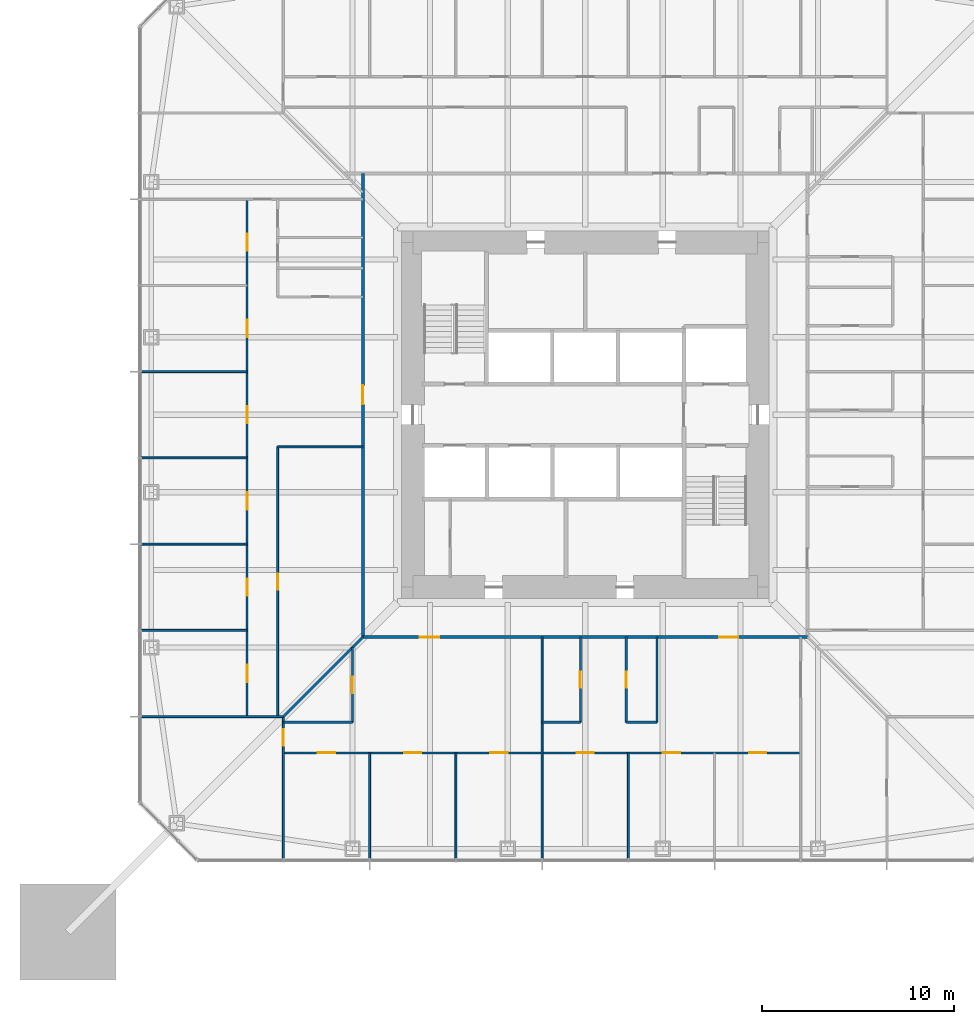
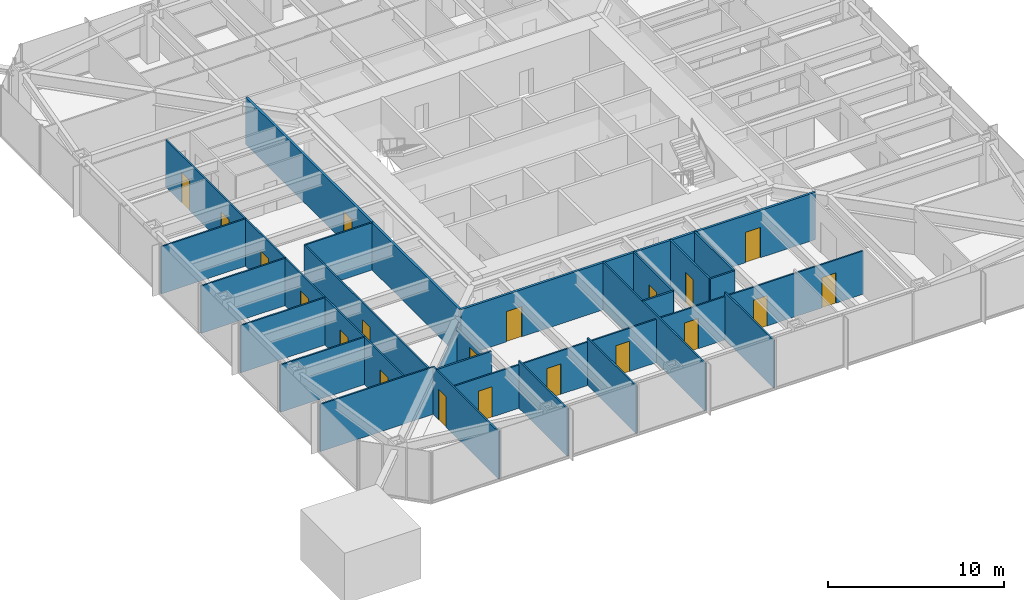
# One storey, part 14 of 26: 24 walls, 20 doors, 20 openings.
"""IFC4 building model written with IfcOpenShell, lengths in metres."""

from ifc_helpers import new_model, si_unit, direction, frame, frame_2d, origin, place, context, subcontext, project, spatial, rectangle, extrude, material, layer, layer_set, type_object, element, fill, save


model = new_model("IFC4")

# Units and contexts
model_context = context("Model", 3, precision=1e-05, world=origin(), true_north=direction((0.0, 1.0)))
body_context = subcontext(model_context, "Body", "Model", "MODEL_VIEW")
ifc_project = project(units=[si_unit("LENGTHUNIT", "METRE"), si_unit("AREAUNIT", "SQUARE_METRE"), si_unit("VOLUMEUNIT", "CUBIC_METRE"), si_unit("PLANEANGLEUNIT", "RADIAN"), si_unit("MASSUNIT", "GRAM", prefix="KILO")], contexts=[model_context])

# Site, building, storey
site_placement = place(None, origin())
site = spatial("IfcSite", under=ifc_project, at=site_placement, CompositionType="ELEMENT")
building_placement = place(site_placement, origin())
building = spatial("IfcBuilding", under=site, at=building_placement, Name="Iwan Alto Co-Living Towers", CompositionType="ELEMENT")
storey_placement = place(building_placement, frame((0.0, 0.0, 39.5)))
storey = spatial("IfcBuildingStorey", under=building, at=storey_placement, Name="L10", CompositionType="ELEMENT", Elevation=39.5)

# Wall, openings, doors
ifc_material_1 = material(Name="Gypsum board")
ifc_layer_1 = layer(ifc_material_1, 0.02490234375, Name="Board", Category="Finish")
ifc_material_2 = material(Name="Steel ASTM A1003 ST33H cold-formed studs", Category="steel")
ifc_layer_2 = layer(ifc_material_2, 0.10009765625, Name="Studs", Category="Framing")
ifc_layer_3 = layer(ifc_material_1, 0.02490234375, Name="Board", Category="Finish")
ifc_layer_set_1 = layer_set([ifc_layer_1, ifc_layer_2, ifc_layer_3], Name="CORRIDOR WALL 150")
wall_type_1 = type_object("IfcWallType", Name="CORRIDOR WALL 150", PredefinedType="PARTITIONING", material=ifc_layer_set_1)
wall_1_placement = place(storey_placement, frame((-11.60009765625, -11.60009765625, 0.0), z_axis=(0.0, 0.0, 1.0), x_axis=(1.0, 0.0, 0.0)))
wall_1 = element("IfcWall", 1, at=wall_1_placement, inside=storey, type_object=wall_type_1, Name="Partition L10", PredefinedType="PARTITIONING", context=body_context, shape_type="SweptSolid", body=[
    extrude(rectangle(XDim=23.2001953125, YDim=0.14990234375, at=frame_2d((11.60009765625, 0.0))), origin(), (0.0, 0.0, 1.0), 3.27001953125),
])
opening_1_placement = place(wall_1_placement, frame((2.97509765625, 0.0, 0.0)))
opening_1 = element("IfcOpeningElement", 2, at=opening_1_placement, cuts=wall_1, Name="Opening D3", PredefinedType="OPENING", context=body_context, shape_type="SweptSolid", body=[
    extrude(rectangle(XDim=1.0, YDim=2.10009765625, at=frame_2d((0.5, 1.050048828125))), frame((0.0, 0.0849609375, 0.0), z_axis=(0.0, -1.0, 0.0), x_axis=(1.0, 0.0, 0.0)), (0.0, 0.0, 1.0), 0.169921875),
])
opening_2_placement = place(wall_1_placement, frame((18.60009765625, 0.0, 0.0)))
opening_2 = element("IfcOpeningElement", 3, at=opening_2_placement, cuts=wall_1, Name="Opening D3", PredefinedType="OPENING", context=body_context, shape_type="SweptSolid", body=[
    extrude(rectangle(XDim=1.0, YDim=2.10009765625, at=frame_2d((0.5, 1.050048828125))), frame((0.0, 0.0849609375, 0.0), z_axis=(0.0, -1.0, 0.0), x_axis=(1.0, 0.0, 0.0)), (0.0, 0.0, 1.0), 0.169921875),
])
ifc_material_3 = material(Name="Steel frame with timber leaf", Category="steel")
door_type_1 = type_object("IfcDoorType", Name="FLAT ENTRANCE DOOR FD30S 1000X2100", OperationType="SINGLE_SWING_LEFT", PredefinedType="DOOR", material=ifc_material_3)
door_1_placement = place(opening_1_placement, frame((1.0, 0.0, 0.0), z_axis=(0.0, 0.0, 1.0), x_axis=(-1.0, 0.0, 0.0)))
door_1 = element("IfcDoor", 4, at=door_1_placement, inside=storey, type_object=door_type_1, Name="Cluster lounge door L10", OperationType="SINGLE_SWING_RIGHT", OverallHeight=2.10009765625, OverallWidth=1.0, PredefinedType="DOOR", context=body_context, shape_type="SweptSolid", body=[
    extrude(rectangle(XDim=1.0, YDim=2.10009765625, at=frame_2d((0.5, 1.050048828125))), frame((0.0, 0.02490234375, 0.0), z_axis=(0.0, -1.0, 0.0), x_axis=(1.0, 0.0, 0.0)), (0.0, 0.0, 1.0), 0.050048828125),
])
fill(opening_1, door_1)
door_2_placement = place(opening_2_placement, frame((1.0, 0.0, 0.0), z_axis=(0.0, 0.0, 1.0), x_axis=(-1.0, 0.0, 0.0)))
door_2 = element("IfcDoor", 5, at=door_2_placement, inside=storey, type_object=door_type_1, Name="Cluster lounge and shared kitchen door L10", OperationType="SINGLE_SWING_RIGHT", OverallHeight=2.10009765625, OverallWidth=1.0, PredefinedType="DOOR", context=body_context, shape_type="SweptSolid", body=[
    extrude(rectangle(XDim=1.0, YDim=2.10009765625, at=frame_2d((0.5, 1.050048828125))), frame((0.0, 0.02490234375, 0.0), z_axis=(0.0, -1.0, 0.0), x_axis=(1.0, 0.0, 0.0)), (0.0, 0.0, 1.0), 0.050048828125),
])
fill(opening_2, door_2)

# Wall, opening, door
wall_2_placement = place(storey_placement, frame((-11.60009765625, -11.60009765625, 0.0), z_axis=(0.0, 0.0, 1.0), x_axis=(0.0, 1.0, 0.0)))
wall_2 = element("IfcWall", 6, at=wall_2_placement, inside=storey, type_object=wall_type_1, Name="Partition L10", PredefinedType="PARTITIONING", context=body_context, shape_type="SweptSolid", body=[
    extrude(rectangle(XDim=24.2001953125, YDim=0.14990234375, at=frame_2d((12.10009765625, 0.0))), origin(), (0.0, 0.0, 1.0), 3.27001953125),
])
opening_3_placement = place(wall_2_placement, frame((12.139892578125, 0.0, 0.0)))
opening_3 = element("IfcOpeningElement", 7, at=opening_3_placement, cuts=wall_2, Name="Opening D3", PredefinedType="OPENING", context=body_context, shape_type="SweptSolid", body=[
    extrude(rectangle(XDim=1.0, YDim=2.10009765625, at=frame_2d((0.5, 1.050048828125))), frame((0.0, 0.0849609375, 0.0), z_axis=(0.0, -1.0, 0.0), x_axis=(1.0, 0.0, 0.0)), (0.0, 0.0, 1.0), 0.169921875),
])
door_3_placement = place(opening_3_placement, origin())
door_3 = element("IfcDoor", 8, at=door_3_placement, inside=storey, type_object=door_type_1, Name="Cluster lounge and shared kitchen door L10", OperationType="SINGLE_SWING_LEFT", OverallHeight=2.10009765625, OverallWidth=1.0, PredefinedType="DOOR", context=body_context, shape_type="SweptSolid", body=[
    extrude(rectangle(XDim=1.0, YDim=2.10009765625, at=frame_2d((0.5, 1.050048828125))), frame((0.0, 0.02490234375, 0.0), z_axis=(0.0, -1.0, 0.0), x_axis=(1.0, 0.0, 0.0)), (0.0, 0.0, 1.0), 0.050048828125),
])
fill(opening_3, door_3)

# Wall, openings, doors
ifc_layer_4 = layer(ifc_material_1, 0.012451171875, Name="Board", Category="Finish")
ifc_layer_5 = layer(ifc_material_2, 0.074951171875, Name="Studs", Category="Framing")
ifc_layer_6 = layer(ifc_material_1, 0.012451171875, Name="Board", Category="Finish")
ifc_layer_set_2 = layer_set([ifc_layer_4, ifc_layer_5, ifc_layer_6], Name="PARTITION 100")
wall_type_2 = type_object("IfcWallType", Name="PARTITION 100", PredefinedType="PARTITIONING", material=ifc_layer_set_2)
wall_3_placement = place(storey_placement, frame((-15.75, -17.64990234375, 0.0), z_axis=(0.0, 0.0, 1.0), x_axis=(1.0, 0.0, 0.0)))
wall_3 = element("IfcWall", 9, at=wall_3_placement, inside=storey, type_object=wall_type_2, Name="Partition L10", PredefinedType="PARTITIONING", context=body_context, shape_type="SweptSolid", body=[
    extrude(rectangle(XDim=27.0, YDim=0.10009765625, at=frame_2d((13.5, 0.0))), origin(), (0.0, 0.0, 1.0), 3.0),
])
opening_4_placement = place(wall_3_placement, frame((1.800048828125, 0.0, 0.0)))
opening_4 = element("IfcOpeningElement", 10, at=opening_4_placement, cuts=wall_3, Name="Opening D1", PredefinedType="OPENING", context=body_context, shape_type="SweptSolid", body=[
    extrude(rectangle(XDim=0.89990234375, YDim=2.10009765625, at=frame_2d((0.449951171875, 1.050048828125))), frame((0.0, 0.06005859375, 0.0), z_axis=(0.0, -1.0, 0.0), x_axis=(1.0, 0.0, 0.0)), (0.0, 0.0, 1.0), 0.1201171875),
])
opening_5_placement = place(wall_3_placement, frame((6.300048828125, 0.0, 0.0)))
opening_5 = element("IfcOpeningElement", 11, at=opening_5_placement, cuts=wall_3, Name="Opening D1", PredefinedType="OPENING", context=body_context, shape_type="SweptSolid", body=[
    extrude(rectangle(XDim=0.89990234375, YDim=2.10009765625, at=frame_2d((0.449951171875, 1.050048828125))), frame((0.0, 0.06005859375, 0.0), z_axis=(0.0, -1.0, 0.0), x_axis=(1.0, 0.0, 0.0)), (0.0, 0.0, 1.0), 0.1201171875),
])
opening_6_placement = place(wall_3_placement, frame((10.800048828125, 0.0, 0.0)))
opening_6 = element("IfcOpeningElement", 12, at=opening_6_placement, cuts=wall_3, Name="Opening D1", PredefinedType="OPENING", context=body_context, shape_type="SweptSolid", body=[
    extrude(rectangle(XDim=0.89990234375, YDim=2.10009765625, at=frame_2d((0.449951171875, 1.050048828125))), frame((0.0, 0.06005859375, 0.0), z_axis=(0.0, -1.0, 0.0), x_axis=(1.0, 0.0, 0.0)), (0.0, 0.0, 1.0), 0.1201171875),
])
opening_7_placement = place(wall_3_placement, frame((15.300048828125, 0.0, 0.0)))
opening_7 = element("IfcOpeningElement", 13, at=opening_7_placement, cuts=wall_3, Name="Opening D1", PredefinedType="OPENING", context=body_context, shape_type="SweptSolid", body=[
    extrude(rectangle(XDim=0.89990234375, YDim=2.10009765625, at=frame_2d((0.449951171875, 1.050048828125))), frame((0.0, 0.06005859375, 0.0), z_axis=(0.0, -1.0, 0.0), x_axis=(1.0, 0.0, 0.0)), (0.0, 0.0, 1.0), 0.1201171875),
])
opening_8_placement = place(wall_3_placement, frame((19.800048828125, 0.0, 0.0)))
opening_8 = element("IfcOpeningElement", 14, at=opening_8_placement, cuts=wall_3, Name="Opening D1", PredefinedType="OPENING", context=body_context, shape_type="SweptSolid", body=[
    extrude(rectangle(XDim=0.89990234375, YDim=2.10009765625, at=frame_2d((0.449951171875, 1.050048828125))), frame((0.0, 0.06005859375, 0.0), z_axis=(0.0, -1.0, 0.0), x_axis=(1.0, 0.0, 0.0)), (0.0, 0.0, 1.0), 0.1201171875),
])
opening_9_placement = place(wall_3_placement, frame((24.300048828125, 0.0, 0.0)))
opening_9 = element("IfcOpeningElement", 15, at=opening_9_placement, cuts=wall_3, Name="Opening D1", PredefinedType="OPENING", context=body_context, shape_type="SweptSolid", body=[
    extrude(rectangle(XDim=0.89990234375, YDim=2.10009765625, at=frame_2d((0.449951171875, 1.050048828125))), frame((0.0, 0.06005859375, 0.0), z_axis=(0.0, -1.0, 0.0), x_axis=(1.0, 0.0, 0.0)), (0.0, 0.0, 1.0), 0.1201171875),
])
ifc_material_4 = material(Name="Timber leaf in steel frame", Category="steel")
door_type_2 = type_object("IfcDoorType", Name="BEDROOM DOOR 900X2100", OperationType="SINGLE_SWING_LEFT", PredefinedType="DOOR", material=ifc_material_4)
door_4_placement = place(opening_4_placement, origin())
door_4 = element("IfcDoor", 16, at=door_4_placement, inside=storey, type_object=door_type_2, Name="Study bedroom door L10", OperationType="SINGLE_SWING_LEFT", OverallHeight=2.10009765625, OverallWidth=0.89990234375, PredefinedType="DOOR", context=body_context, shape_type="SweptSolid", body=[
    extrude(rectangle(XDim=0.89990234375, YDim=2.10009765625, at=frame_2d((0.449951171875, 1.050048828125))), frame((0.0, 0.02490234375, 0.0), z_axis=(0.0, -1.0, 0.0), x_axis=(1.0, 0.0, 0.0)), (0.0, 0.0, 1.0), 0.050048828125),
])
fill(opening_4, door_4)
door_5_placement = place(opening_5_placement, origin())
door_5 = element("IfcDoor", 17, at=door_5_placement, inside=storey, type_object=door_type_2, Name="Study bedroom door L10", OperationType="SINGLE_SWING_LEFT", OverallHeight=2.10009765625, OverallWidth=0.89990234375, PredefinedType="DOOR", context=body_context, shape_type="SweptSolid", body=[
    extrude(rectangle(XDim=0.89990234375, YDim=2.10009765625, at=frame_2d((0.449951171875, 1.050048828125))), frame((0.0, 0.02490234375, 0.0), z_axis=(0.0, -1.0, 0.0), x_axis=(1.0, 0.0, 0.0)), (0.0, 0.0, 1.0), 0.050048828125),
])
fill(opening_5, door_5)
door_6_placement = place(opening_6_placement, origin())
door_6 = element("IfcDoor", 18, at=door_6_placement, inside=storey, type_object=door_type_2, Name="Study bedroom door L10", OperationType="SINGLE_SWING_RIGHT", OverallHeight=2.10009765625, OverallWidth=0.89990234375, PredefinedType="DOOR", context=body_context, shape_type="SweptSolid", body=[
    extrude(rectangle(XDim=0.89990234375, YDim=2.10009765625, at=frame_2d((0.449951171875, 1.050048828125))), frame((0.0, 0.02490234375, 0.0), z_axis=(0.0, -1.0, 0.0), x_axis=(1.0, 0.0, 0.0)), (0.0, 0.0, 1.0), 0.050048828125),
])
fill(opening_6, door_6)
door_7_placement = place(opening_7_placement, origin())
door_7 = element("IfcDoor", 19, at=door_7_placement, inside=storey, type_object=door_type_2, Name="Study bedroom door L10", OperationType="SINGLE_SWING_LEFT", OverallHeight=2.10009765625, OverallWidth=0.89990234375, PredefinedType="DOOR", context=body_context, shape_type="SweptSolid", body=[
    extrude(rectangle(XDim=0.89990234375, YDim=2.10009765625, at=frame_2d((0.449951171875, 1.050048828125))), frame((0.0, 0.02490234375, 0.0), z_axis=(0.0, -1.0, 0.0), x_axis=(1.0, 0.0, 0.0)), (0.0, 0.0, 1.0), 0.050048828125),
])
fill(opening_7, door_7)
door_8_placement = place(opening_8_placement, origin())
door_8 = element("IfcDoor", 20, at=door_8_placement, inside=storey, type_object=door_type_2, Name="Study bedroom door L10", OperationType="SINGLE_SWING_LEFT", OverallHeight=2.10009765625, OverallWidth=0.89990234375, PredefinedType="DOOR", context=body_context, shape_type="SweptSolid", body=[
    extrude(rectangle(XDim=0.89990234375, YDim=2.10009765625, at=frame_2d((0.449951171875, 1.050048828125))), frame((0.0, 0.02490234375, 0.0), z_axis=(0.0, -1.0, 0.0), x_axis=(1.0, 0.0, 0.0)), (0.0, 0.0, 1.0), 0.050048828125),
])
fill(opening_8, door_8)
door_9_placement = place(opening_9_placement, origin())
door_9 = element("IfcDoor", 21, at=door_9_placement, inside=storey, type_object=door_type_2, Name="Study bedroom door L10", OperationType="SINGLE_SWING_RIGHT", OverallHeight=2.10009765625, OverallWidth=0.89990234375, PredefinedType="DOOR", context=body_context, shape_type="SweptSolid", body=[
    extrude(rectangle(XDim=0.89990234375, YDim=2.10009765625, at=frame_2d((0.449951171875, 1.050048828125))), frame((0.0, 0.02490234375, 0.0), z_axis=(0.0, -1.0, 0.0), x_axis=(1.0, 0.0, 0.0)), (0.0, 0.0, 1.0), 0.050048828125),
])
fill(opening_9, door_9)

# Walls
wall_4_placement = place(storey_placement, frame((-23.18994140625, -15.75, 0.0), z_axis=(0.0, 0.0, 1.0), x_axis=(1.0, 0.0, 0.0)))
element("IfcWall", 22, at=wall_4_placement, inside=storey, type_object=wall_type_2, Name="Partition L10", PredefinedType="PARTITIONING", context=body_context, shape_type="SweptSolid", body=[
    extrude(rectangle(XDim=7.43994140625, YDim=0.10009765625, at=frame_2d((3.719970703125, 0.0))), origin(), (0.0, 0.0, 1.0), 3.27001953125),
])
for number, where, z_axis, x_axis, name in (
    (23, (-23.18994140625, -11.25, 0.0), (0.0, 0.0, 1.0), (1.0, 0.0, 0.0), "Partition L10"),
    (24, (-23.18994140625, -6.75, 0.0), (0.0, 0.0, 1.0), (1.0, 0.0, 0.0), "Partition L10"),
    (25, (-23.18994140625, -2.25, 0.0), (0.0, 0.0, 1.0), (1.0, 0.0, 0.0), "Partition L10"),
):
    element("IfcWall", number, at=place(storey_placement, frame(where, z_axis=z_axis, x_axis=x_axis)), inside=storey, type_object=wall_type_2, Name=name, PredefinedType="PARTITIONING", context=body_context, shape_type="SweptSolid", body=[
        extrude(rectangle(XDim=5.5400390625, YDim=0.10009765625, at=frame_2d((2.77001953125, 0.0))), origin(), (0.0, 0.0, 1.0), 3.27001953125),
    ])
wall_5_placement = place(storey_placement, frame((-16.050048828125, -1.669921875, 0.0), z_axis=(0.0, 0.0, 1.0), x_axis=(1.0, 0.0, 0.0)))
element("IfcWall", 26, at=wall_5_placement, inside=storey, type_object=wall_type_2, Name="Partition L10", PredefinedType="PARTITIONING", context=body_context, shape_type="SweptSolid", body=[
    extrude(rectangle(XDim=4.449951171875, YDim=0.10009765625, at=frame_2d((2.22509765625, 0.0))), origin(), (0.0, 0.0, 1.0), 3.27001953125),
])
for number, where, z_axis, x_axis, name in (
    (27, (-23.18994140625, 2.25, 0.0), (0.0, 0.0, 1.0), (1.0, 0.0, 0.0), "Partition L10"),
    (28, (2.25, -23.18994140625, 0.0), (0.0, 0.0, 1.0), (0.0, 1.0, 0.0), "Partition L10"),
):
    element("IfcWall", number, at=place(storey_placement, frame(where, z_axis=z_axis, x_axis=x_axis)), inside=storey, type_object=wall_type_2, Name=name, PredefinedType="PARTITIONING", context=body_context, shape_type="SweptSolid", body=[
        extrude(rectangle(XDim=5.5400390625, YDim=0.10009765625, at=frame_2d((2.77001953125, 0.0))), origin(), (0.0, 0.0, 1.0), 3.27001953125),
    ])
wall_6_placement = place(storey_placement, frame((-2.25, -23.18994140625, 0.0), z_axis=(0.0, 0.0, 1.0), x_axis=(0.0, 1.0, 0.0)))
element("IfcWall", 29, at=wall_6_placement, inside=storey, type_object=wall_type_2, Name="Partition L10", PredefinedType="PARTITIONING", context=body_context, shape_type="SweptSolid", body=[
    extrude(rectangle(XDim=11.58984375, YDim=0.10009765625, at=frame_2d((5.794921875, 0.0))), origin(), (0.0, 0.0, 1.0), 3.27001953125),
])
for number, where, z_axis, x_axis, name in (
    (30, (-6.75, -23.18994140625, 0.0), (0.0, 0.0, 1.0), (0.0, 1.0, 0.0), "Partition L10"),
    (31, (-11.25, -23.18994140625, 0.0), (0.0, 0.0, 1.0), (0.0, 1.0, 0.0), "Partition L10"),
):
    element("IfcWall", number, at=place(storey_placement, frame(where, z_axis=z_axis, x_axis=x_axis)), inside=storey, type_object=wall_type_2, Name=name, PredefinedType="PARTITIONING", context=body_context, shape_type="SweptSolid", body=[
        extrude(rectangle(XDim=5.5400390625, YDim=0.10009765625, at=frame_2d((2.77001953125, 0.0))), origin(), (0.0, 0.0, 1.0), 3.27001953125),
    ])

# Wall, opening, door
wall_7_placement = place(storey_placement, frame((-15.75, -23.18994140625, 0.0), z_axis=(0.0, 0.0, 1.0), x_axis=(0.0, 1.0, 0.0)))
wall_7 = element("IfcWall", 32, at=wall_7_placement, inside=storey, type_object=wall_type_2, Name="Partition L10", PredefinedType="PARTITIONING", context=body_context, shape_type="SweptSolid", body=[
    extrude(rectangle(XDim=7.43994140625, YDim=0.10009765625, at=frame_2d((3.719970703125, 0.0))), origin(), (0.0, 0.0, 1.0), 3.27001953125),
])
opening_10_placement = place(wall_7_placement, frame((5.9150390625, 0.0, 0.0)))
opening_10 = element("IfcOpeningElement", 33, at=opening_10_placement, cuts=wall_7, Name="Opening D2", PredefinedType="OPENING", context=body_context, shape_type="SweptSolid", body=[
    extrude(rectangle(XDim=0.85009765625, YDim=2.10009765625, at=frame_2d((0.425048828125, 1.050048828125))), frame((0.0, 0.06005859375, 0.0), z_axis=(0.0, -1.0, 0.0), x_axis=(1.0, 0.0, 0.0)), (0.0, 0.0, 1.0), 0.1201171875),
])
ifc_material_5 = material(Name="Timber leaf in steel frame", Category="steel")
door_type_3 = type_object("IfcDoorType", Name="ROOM DOOR 850X2100", OperationType="SINGLE_SWING_LEFT", PredefinedType="DOOR", material=ifc_material_5)
door_10_placement = place(opening_10_placement, frame((0.85009765625, 0.0, 0.0), z_axis=(0.0, 0.0, 1.0), x_axis=(-1.0, 0.0, 0.0)))
door_10 = element("IfcDoor", 34, at=door_10_placement, inside=storey, type_object=door_type_3, Name="Shared kitchen and dining room door L10", OperationType="SINGLE_SWING_RIGHT", OverallHeight=2.10009765625, OverallWidth=0.85009765625, PredefinedType="DOOR", context=body_context, shape_type="SweptSolid", body=[
    extrude(rectangle(XDim=0.85009765625, YDim=2.10009765625, at=frame_2d((0.425048828125, 1.050048828125))), frame((0.0, 0.02490234375, 0.0), z_axis=(0.0, -1.0, 0.0), x_axis=(1.0, 0.0, 0.0)), (0.0, 0.0, 1.0), 0.050048828125),
])
fill(opening_10, door_10)

wall_8_placement = place(storey_placement, frame((-16.050048828125, -15.75, 0.0), z_axis=(0.0, 0.0, 1.0), x_axis=(0.0, 1.0, 0.0)))
wall_8 = element("IfcWall", 35, at=wall_8_placement, inside=storey, type_object=wall_type_2, Name="Partition L10", PredefinedType="PARTITIONING", context=body_context, shape_type="SweptSolid", body=[
    extrude(rectangle(XDim=14.080078125, YDim=0.10009765625, at=frame_2d((7.0400390625, 0.0))), origin(), (0.0, 0.0, 1.0), 3.27001953125),
])
opening_11_placement = place(wall_8_placement, frame((6.614990234375, 0.0, 0.0)))
opening_11 = element("IfcOpeningElement", 36, at=opening_11_placement, cuts=wall_8, Name="Opening D2", PredefinedType="OPENING", context=body_context, shape_type="SweptSolid", body=[
    extrude(rectangle(XDim=0.85009765625, YDim=2.10009765625, at=frame_2d((0.425048828125, 1.050048828125))), frame((0.0, 0.06005859375, 0.0), z_axis=(0.0, -1.0, 0.0), x_axis=(1.0, 0.0, 0.0)), (0.0, 0.0, 1.0), 0.1201171875),
])
door_11_placement = place(opening_11_placement, origin())
door_11 = element("IfcDoor", 37, at=door_11_placement, inside=storey, type_object=door_type_3, Name="Study lounge door L10", OperationType="SINGLE_SWING_LEFT", OverallHeight=2.10009765625, OverallWidth=0.85009765625, PredefinedType="DOOR", context=body_context, shape_type="SweptSolid", body=[
    extrude(rectangle(XDim=0.85009765625, YDim=2.10009765625, at=frame_2d((0.425048828125, 1.050048828125))), frame((0.0, 0.02490234375, 0.0), z_axis=(0.0, -1.0, 0.0), x_axis=(1.0, 0.0, 0.0)), (0.0, 0.0, 1.0), 0.050048828125),
])
fill(opening_11, door_11)

# Wall, openings, doors
wall_9_placement = place(storey_placement, frame((-17.64990234375, -15.75, 0.0), z_axis=(0.0, 0.0, 1.0), x_axis=(0.0, 1.0, 0.0)))
wall_9 = element("IfcWall", 38, at=wall_9_placement, inside=storey, type_object=wall_type_2, Name="Partition L10", PredefinedType="PARTITIONING", context=body_context, shape_type="SweptSolid", body=[
    extrude(rectangle(XDim=27.0, YDim=0.10009765625, at=frame_2d((13.5, 0.0))), origin(), (0.0, 0.0, 1.0), 3.27001953125),
])
opening_12_placement = place(wall_9_placement, frame((24.300048828125, 0.0, 0.0)))
opening_12 = element("IfcOpeningElement", 39, at=opening_12_placement, cuts=wall_9, Name="Opening D1", PredefinedType="OPENING", context=body_context, shape_type="SweptSolid", body=[
    extrude(rectangle(XDim=0.89990234375, YDim=2.10009765625, at=frame_2d((0.449951171875, 1.050048828125))), frame((0.0, 0.06005859375, 0.0), z_axis=(0.0, -1.0, 0.0), x_axis=(1.0, 0.0, 0.0)), (0.0, 0.0, 1.0), 0.1201171875),
])
opening_13_placement = place(wall_9_placement, frame((19.800048828125, 0.0, 0.0)))
opening_13 = element("IfcOpeningElement", 40, at=opening_13_placement, cuts=wall_9, Name="Opening D1", PredefinedType="OPENING", context=body_context, shape_type="SweptSolid", body=[
    extrude(rectangle(XDim=0.89990234375, YDim=2.10009765625, at=frame_2d((0.449951171875, 1.050048828125))), frame((0.0, 0.06005859375, 0.0), z_axis=(0.0, -1.0, 0.0), x_axis=(1.0, 0.0, 0.0)), (0.0, 0.0, 1.0), 0.1201171875),
])
opening_14_placement = place(wall_9_placement, frame((15.300048828125, 0.0, 0.0)))
opening_14 = element("IfcOpeningElement", 41, at=opening_14_placement, cuts=wall_9, Name="Opening D1", PredefinedType="OPENING", context=body_context, shape_type="SweptSolid", body=[
    extrude(rectangle(XDim=0.89990234375, YDim=2.10009765625, at=frame_2d((0.449951171875, 1.050048828125))), frame((0.0, 0.06005859375, 0.0), z_axis=(0.0, -1.0, 0.0), x_axis=(1.0, 0.0, 0.0)), (0.0, 0.0, 1.0), 0.1201171875),
])
opening_15_placement = place(wall_9_placement, frame((10.800048828125, 0.0, 0.0)))
opening_15 = element("IfcOpeningElement", 42, at=opening_15_placement, cuts=wall_9, Name="Opening D1", PredefinedType="OPENING", context=body_context, shape_type="SweptSolid", body=[
    extrude(rectangle(XDim=0.89990234375, YDim=2.10009765625, at=frame_2d((0.449951171875, 1.050048828125))), frame((0.0, 0.06005859375, 0.0), z_axis=(0.0, -1.0, 0.0), x_axis=(1.0, 0.0, 0.0)), (0.0, 0.0, 1.0), 0.1201171875),
])
opening_16_placement = place(wall_9_placement, frame((6.300048828125, 0.0, 0.0)))
opening_16 = element("IfcOpeningElement", 43, at=opening_16_placement, cuts=wall_9, Name="Opening D1", PredefinedType="OPENING", context=body_context, shape_type="SweptSolid", body=[
    extrude(rectangle(XDim=0.89990234375, YDim=2.10009765625, at=frame_2d((0.449951171875, 1.050048828125))), frame((0.0, 0.06005859375, 0.0), z_axis=(0.0, -1.0, 0.0), x_axis=(1.0, 0.0, 0.0)), (0.0, 0.0, 1.0), 0.1201171875),
])
opening_17_placement = place(wall_9_placement, frame((1.800048828125, 0.0, 0.0)))
opening_17 = element("IfcOpeningElement", 44, at=opening_17_placement, cuts=wall_9, Name="Opening D1", PredefinedType="OPENING", context=body_context, shape_type="SweptSolid", body=[
    extrude(rectangle(XDim=0.89990234375, YDim=2.10009765625, at=frame_2d((0.449951171875, 1.050048828125))), frame((0.0, 0.06005859375, 0.0), z_axis=(0.0, -1.0, 0.0), x_axis=(1.0, 0.0, 0.0)), (0.0, 0.0, 1.0), 0.1201171875),
])
door_12_placement = place(opening_12_placement, frame((0.89990234375, 0.0, 0.0), z_axis=(0.0, 0.0, 1.0), x_axis=(-1.0, 0.0, 0.0)))
door_12 = element("IfcDoor", 45, at=door_12_placement, inside=storey, type_object=door_type_2, Name="Study bedroom door L10", OperationType="SINGLE_SWING_LEFT", OverallHeight=2.10009765625, OverallWidth=0.89990234375, PredefinedType="DOOR", context=body_context, shape_type="SweptSolid", body=[
    extrude(rectangle(XDim=0.89990234375, YDim=2.10009765625, at=frame_2d((0.449951171875, 1.050048828125))), frame((0.0, 0.02490234375, 0.0), z_axis=(0.0, -1.0, 0.0), x_axis=(1.0, 0.0, 0.0)), (0.0, 0.0, 1.0), 0.050048828125),
])
fill(opening_12, door_12)
door_13_placement = place(opening_13_placement, frame((0.89990234375, 0.0, 0.0), z_axis=(0.0, 0.0, 1.0), x_axis=(-1.0, 0.0, 0.0)))
door_13 = element("IfcDoor", 46, at=door_13_placement, inside=storey, type_object=door_type_2, Name="Study bedroom door L10", OperationType="SINGLE_SWING_LEFT", OverallHeight=2.10009765625, OverallWidth=0.89990234375, PredefinedType="DOOR", context=body_context, shape_type="SweptSolid", body=[
    extrude(rectangle(XDim=0.89990234375, YDim=2.10009765625, at=frame_2d((0.449951171875, 1.050048828125))), frame((0.0, 0.02490234375, 0.0), z_axis=(0.0, -1.0, 0.0), x_axis=(1.0, 0.0, 0.0)), (0.0, 0.0, 1.0), 0.050048828125),
])
fill(opening_13, door_13)
door_14_placement = place(opening_14_placement, frame((0.89990234375, 0.0, 0.0), z_axis=(0.0, 0.0, 1.0), x_axis=(-1.0, 0.0, 0.0)))
door_14 = element("IfcDoor", 47, at=door_14_placement, inside=storey, type_object=door_type_2, Name="Study bedroom door L10", OperationType="SINGLE_SWING_LEFT", OverallHeight=2.10009765625, OverallWidth=0.89990234375, PredefinedType="DOOR", context=body_context, shape_type="SweptSolid", body=[
    extrude(rectangle(XDim=0.89990234375, YDim=2.10009765625, at=frame_2d((0.449951171875, 1.050048828125))), frame((0.0, 0.02490234375, 0.0), z_axis=(0.0, -1.0, 0.0), x_axis=(1.0, 0.0, 0.0)), (0.0, 0.0, 1.0), 0.050048828125),
])
fill(opening_14, door_14)
door_15_placement = place(opening_15_placement, frame((0.89990234375, 0.0, 0.0), z_axis=(0.0, 0.0, 1.0), x_axis=(-1.0, 0.0, 0.0)))
door_15 = element("IfcDoor", 48, at=door_15_placement, inside=storey, type_object=door_type_2, Name="Study bedroom door L10", OperationType="SINGLE_SWING_RIGHT", OverallHeight=2.10009765625, OverallWidth=0.89990234375, PredefinedType="DOOR", context=body_context, shape_type="SweptSolid", body=[
    extrude(rectangle(XDim=0.89990234375, YDim=2.10009765625, at=frame_2d((0.449951171875, 1.050048828125))), frame((0.0, 0.02490234375, 0.0), z_axis=(0.0, -1.0, 0.0), x_axis=(1.0, 0.0, 0.0)), (0.0, 0.0, 1.0), 0.050048828125),
])
fill(opening_15, door_15)
door_16_placement = place(opening_16_placement, frame((0.89990234375, 0.0, 0.0), z_axis=(0.0, 0.0, 1.0), x_axis=(-1.0, 0.0, 0.0)))
door_16 = element("IfcDoor", 49, at=door_16_placement, inside=storey, type_object=door_type_2, Name="Study bedroom door L10", OperationType="SINGLE_SWING_RIGHT", OverallHeight=2.10009765625, OverallWidth=0.89990234375, PredefinedType="DOOR", context=body_context, shape_type="SweptSolid", body=[
    extrude(rectangle(XDim=0.89990234375, YDim=2.10009765625, at=frame_2d((0.449951171875, 1.050048828125))), frame((0.0, 0.02490234375, 0.0), z_axis=(0.0, -1.0, 0.0), x_axis=(1.0, 0.0, 0.0)), (0.0, 0.0, 1.0), 0.050048828125),
])
fill(opening_16, door_16)
door_17_placement = place(opening_17_placement, frame((0.89990234375, 0.0, 0.0), z_axis=(0.0, 0.0, 1.0), x_axis=(-1.0, 0.0, 0.0)))
door_17 = element("IfcDoor", 50, at=door_17_placement, inside=storey, type_object=door_type_2, Name="Study bedroom door L10", OperationType="SINGLE_SWING_RIGHT", OverallHeight=2.10009765625, OverallWidth=0.89990234375, PredefinedType="DOOR", context=body_context, shape_type="SweptSolid", body=[
    extrude(rectangle(XDim=0.89990234375, YDim=2.10009765625, at=frame_2d((0.449951171875, 1.050048828125))), frame((0.0, 0.02490234375, 0.0), z_axis=(0.0, -1.0, 0.0), x_axis=(1.0, 0.0, 0.0)), (0.0, 0.0, 1.0), 0.050048828125),
])
fill(opening_17, door_17)

# Walls
ifc_material_6 = material(Name="Cement board")
ifc_layer_7 = layer(ifc_material_6, 0.012451171875, Name="Board", Category="Finish")
ifc_layer_8 = layer(ifc_material_2, 0.094970703125, Name="Studs", Category="Framing")
ifc_layer_9 = layer(ifc_material_6, 0.012451171875, Name="Board", Category="Finish")
ifc_layer_set_3 = layer_set([ifc_layer_7, ifc_layer_8, ifc_layer_9], Name="WET AREA PARTITION 120")
wall_type_3 = type_object("IfcWallType", Name="WET AREA PARTITION 120", PredefinedType="PARTITIONING", material=ifc_layer_set_3)
wall_10_placement = place(storey_placement, frame((-15.75, -16.050048828125, 0.0), z_axis=(0.0, 0.0, 1.0), x_axis=(1.0, 0.0, 0.0)))
element("IfcWall", 51, at=wall_10_placement, inside=storey, type_object=wall_type_3, Name="Partition L10", PredefinedType="PARTITIONING", context=body_context, shape_type="SweptSolid", body=[
    extrude(rectangle(XDim=3.60009765625, YDim=0.1201171875, at=frame_2d((1.800048828125, 0.0))), origin(), (0.0, 0.0, 1.0), 3.27001953125),
])
wall_11_placement = place(storey_placement, frame((-2.25, -16.050048828125, 0.0), z_axis=(0.0, 0.0, 1.0), x_axis=(1.0, 0.0, 0.0)))
element("IfcWall", 52, at=wall_11_placement, inside=storey, type_object=wall_type_3, Name="Partition L10", PredefinedType="PARTITIONING", context=body_context, shape_type="SweptSolid", body=[
    extrude(rectangle(XDim=2.0, YDim=0.1201171875, at=frame_2d((1.0, 0.0))), origin(), (0.0, 0.0, 1.0), 3.27001953125),
])
wall_12_placement = place(storey_placement, frame((2.14990234375, -16.050048828125, 0.0), z_axis=(0.0, 0.0, 1.0), x_axis=(1.0, 0.0, 0.0)))
element("IfcWall", 53, at=wall_12_placement, inside=storey, type_object=wall_type_3, Name="Partition L10", PredefinedType="PARTITIONING", context=body_context, shape_type="SweptSolid", body=[
    extrude(rectangle(XDim=1.60009765625, YDim=0.1201171875, at=frame_2d((0.800048828125, 0.0))), origin(), (0.0, 0.0, 1.0), 3.27001953125),
])
wall_13_placement = place(storey_placement, frame((-15.75, -15.75, 0.0), z_axis=(0.0, 0.0, 1.0), x_axis=(0.707106781187, 0.707106781187, 0.0)))
element("IfcWall", 54, at=wall_13_placement, inside=storey, type_object=wall_type_3, Name="Partition L10", PredefinedType="PARTITIONING", context=body_context, shape_type="SweptSolid", body=[
    extrude(rectangle(XDim=5.868896484375, YDim=0.1201171875, at=frame_2d((2.9345703125, 0.0))), origin(), (0.0, 0.0, 1.0), 2.343017578125),
])
wall_14_placement = place(storey_placement, frame((3.75, -16.050048828125, 0.0), z_axis=(0.0, 0.0, 1.0), x_axis=(0.0, 1.0, 0.0)))
element("IfcWall", 55, at=wall_14_placement, inside=storey, type_object=wall_type_3, Name="Partition L10", PredefinedType="PARTITIONING", context=body_context, shape_type="SweptSolid", body=[
    extrude(rectangle(XDim=4.449951171875, YDim=0.1201171875, at=frame_2d((2.22509765625, 0.0))), origin(), (0.0, 0.0, 1.0), 3.27001953125),
])

# Wall, opening, door
wall_15_placement = place(storey_placement, frame((2.14990234375, -16.050048828125, 0.0), z_axis=(0.0, 0.0, 1.0), x_axis=(0.0, 1.0, 0.0)))
wall_15 = element("IfcWall", 56, at=wall_15_placement, inside=storey, type_object=wall_type_3, Name="Partition L10", PredefinedType="PARTITIONING", context=body_context, shape_type="SweptSolid", body=[
    extrude(rectangle(XDim=4.449951171875, YDim=0.1201171875, at=frame_2d((2.22509765625, 0.0))), origin(), (0.0, 0.0, 1.0), 3.27001953125),
])
opening_18_placement = place(wall_15_placement, frame((1.800048828125, 0.0, 0.0)))
opening_18 = element("IfcOpeningElement", 57, at=opening_18_placement, cuts=wall_15, Name="Opening D2", PredefinedType="OPENING", context=body_context, shape_type="SweptSolid", body=[
    extrude(rectangle(XDim=0.85009765625, YDim=2.10009765625, at=frame_2d((0.425048828125, 1.050048828125))), frame((0.0, 0.070068359375, 0.0), z_axis=(0.0, -1.0, 0.0), x_axis=(1.0, 0.0, 0.0)), (0.0, 0.0, 1.0), 0.14013671875),
])
door_18_placement = place(opening_18_placement, origin())
door_18 = element("IfcDoor", 58, at=door_18_placement, inside=storey, type_object=door_type_3, Name="Accessible bathroom door L10", OperationType="SINGLE_SWING_RIGHT", OverallHeight=2.10009765625, OverallWidth=0.85009765625, PredefinedType="DOOR", context=body_context, shape_type="SweptSolid", body=[
    extrude(rectangle(XDim=0.85009765625, YDim=2.10009765625, at=frame_2d((0.425048828125, 1.050048828125))), frame((0.0, 0.02490234375, 0.0), z_axis=(0.0, -1.0, 0.0), x_axis=(1.0, 0.0, 0.0)), (0.0, 0.0, 1.0), 0.050048828125),
])
fill(opening_18, door_18)

wall_16_placement = place(storey_placement, frame((-0.25, -16.050048828125, 0.0), z_axis=(0.0, 0.0, 1.0), x_axis=(0.0, 1.0, 0.0)))
wall_16 = element("IfcWall", 59, at=wall_16_placement, inside=storey, type_object=wall_type_3, Name="Partition L10", PredefinedType="PARTITIONING", context=body_context, shape_type="SweptSolid", body=[
    extrude(rectangle(XDim=4.449951171875, YDim=0.1201171875, at=frame_2d((2.22509765625, 0.0))), origin(), (0.0, 0.0, 1.0), 3.27001953125),
])
opening_19_placement = place(wall_16_placement, frame((1.800048828125, 0.0, 0.0)))
opening_19 = element("IfcOpeningElement", 60, at=opening_19_placement, cuts=wall_16, Name="Opening D2", PredefinedType="OPENING", context=body_context, shape_type="SweptSolid", body=[
    extrude(rectangle(XDim=0.85009765625, YDim=2.10009765625, at=frame_2d((0.425048828125, 1.050048828125))), frame((0.0, 0.070068359375, 0.0), z_axis=(0.0, -1.0, 0.0), x_axis=(1.0, 0.0, 0.0)), (0.0, 0.0, 1.0), 0.14013671875),
])
door_19_placement = place(opening_19_placement, frame((0.85009765625, 0.0, 0.0), z_axis=(0.0, 0.0, 1.0), x_axis=(-1.0, 0.0, 0.0)))
door_19 = element("IfcDoor", 61, at=door_19_placement, inside=storey, type_object=door_type_3, Name="Laundry door L10", OperationType="SINGLE_SWING_LEFT", OverallHeight=2.10009765625, OverallWidth=0.85009765625, PredefinedType="DOOR", context=body_context, shape_type="SweptSolid", body=[
    extrude(rectangle(XDim=0.85009765625, YDim=2.10009765625, at=frame_2d((0.425048828125, 1.050048828125))), frame((0.0, 0.02490234375, 0.0), z_axis=(0.0, -1.0, 0.0), x_axis=(1.0, 0.0, 0.0)), (0.0, 0.0, 1.0), 0.050048828125),
])
fill(opening_19, door_19)

wall_17_placement = place(storey_placement, frame((-12.14990234375, -16.050048828125, 0.0), z_axis=(0.0, 0.0, 1.0), x_axis=(0.0, 1.0, 0.0)))
wall_17 = element("IfcWall", 62, at=wall_17_placement, inside=storey, type_object=wall_type_3, Name="Partition L10", PredefinedType="PARTITIONING", context=body_context, shape_type="SweptSolid", body=[
    extrude(rectangle(XDim=3.900146484375, YDim=0.1201171875, at=frame_2d((1.9501953125, 0.0))), origin(), (0.0, 0.0, 1.0), 2.508056640625),
])
opening_20_placement = place(wall_17_placement, frame((1.52490234375, 0.0, 0.0)))
opening_20 = element("IfcOpeningElement", 63, at=opening_20_placement, cuts=wall_17, Name="Opening D2", PredefinedType="OPENING", context=body_context, shape_type="SweptSolid", body=[
    extrude(rectangle(XDim=0.85009765625, YDim=2.10009765625, at=frame_2d((0.425048828125, 1.050048828125))), frame((0.0, 0.070068359375, 0.0), z_axis=(0.0, -1.0, 0.0), x_axis=(1.0, 0.0, 0.0)), (0.0, 0.0, 1.0), 0.14013671875),
])
door_20_placement = place(opening_20_placement, frame((0.85009765625, 0.0, 0.0), z_axis=(0.0, 0.0, 1.0), x_axis=(-1.0, 0.0, 0.0)))
door_20 = element("IfcDoor", 64, at=door_20_placement, inside=storey, type_object=door_type_3, Name="Accessible bathroom door L10", OperationType="SINGLE_SWING_LEFT", OverallHeight=2.10009765625, OverallWidth=0.85009765625, PredefinedType="DOOR", context=body_context, shape_type="SweptSolid", body=[
    extrude(rectangle(XDim=0.85009765625, YDim=2.10009765625, at=frame_2d((0.425048828125, 1.050048828125))), frame((0.0, 0.02490234375, 0.0), z_axis=(0.0, -1.0, 0.0), x_axis=(1.0, 0.0, 0.0)), (0.0, 0.0, 1.0), 0.050048828125),
])
fill(opening_20, door_20)

save(model, "model.ifc")
